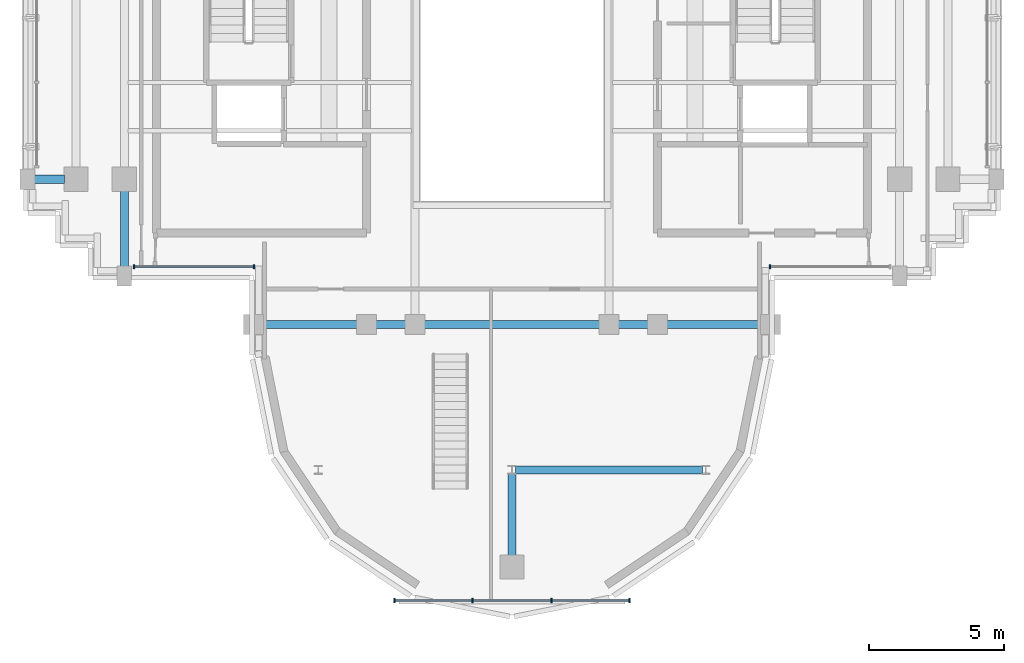
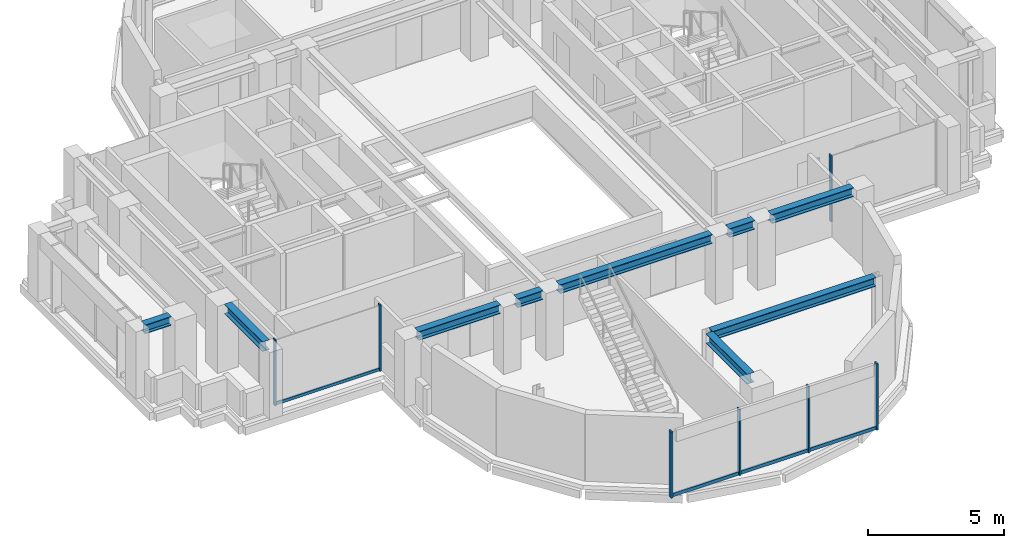
# One storey, part 3 of 12: 11 members, 9 beams, 3 elements without a shape of their own.
"""IFC4 building model written with IfcOpenShell, lengths in metres."""

from ifc_helpers import new_model, si_unit, direction, frame, origin, origin_2d, place, context, subcontext, project, spatial, rectangle, i_section, extrude, source, transform, mapped, material, material_profile, profile_set, type_object, element, aggregate, save


model = new_model("IFC4")

# Units and contexts
model_context = context("Model", 3, precision=1e-05, world=origin(), true_north=direction((0.0, 1.0)))
body_context = subcontext(model_context, "Body", "Model", "MODEL_VIEW")
ifc_project = project(units=[si_unit("LENGTHUNIT", "METRE"), si_unit("AREAUNIT", "SQUARE_METRE"), si_unit("VOLUMEUNIT", "CUBIC_METRE"), si_unit("PLANEANGLEUNIT", "RADIAN"), si_unit("MASSUNIT", "GRAM", prefix="KILO")], contexts=[model_context])

# Site, building, storey
site_placement = place(None, origin())
site = spatial("IfcSite", under=ifc_project, at=site_placement, CompositionType="ELEMENT")
building_placement = place(site_placement, origin())
building = spatial("IfcBuilding", under=site, at=building_placement, Name="Keilestroom Media Tower", CompositionType="ELEMENT")
storey_placement = place(building_placement, frame((0.0, 0.0, 239.60009765625)))
storey = spatial("IfcBuildingStorey", under=building, at=storey_placement, Name="L66", CompositionType="ELEMENT", Elevation=239.60009765625)

# Beams
ifc_material_1 = material(Name="Steel S355", Category="steel")
ifc_material_profile_1 = material_profile(ifc_material_1, i_section(OverallWidth=0.300048828125, OverallDepth=0.39990234375, WebThickness=0.011474609375, FlangeThickness=0.02392578125, at=origin_2d()), Name="HEB 400")
ifc_profile_set_1 = profile_set([ifc_material_profile_1], Name="Steel S355")
beam_type_1 = type_object("IfcBeamType", Name="Primary-Structural-Girder-HEB-400", PredefinedType="BEAM", material=ifc_profile_set_1)
shared_shape_1 = source(origin(), body_context, "Body", "SweptSolid", [
    extrude(i_section(OverallWidth=0.300048828125, OverallDepth=0.39990234375, WebThickness=0.011474609375, FlangeThickness=0.02392578125, at=origin_2d()), origin(), (0.0, 0.0, 1.0), 6.940185546875),
])
beam_1_placement = place(storey_placement, frame((0.1298828125, -14.39990234375, 2.809814453125), z_axis=(1.0, 0.0, 0.0), x_axis=(0.0, 1.0, 0.0)))
element("IfcBeam", 1, at=beam_1_placement, inside=storey, type_object=beam_type_1, Name="L66 Beam BG-8 BM-L66-EW-002", PredefinedType="BEAM", context=body_context, shape_type="MappedRepresentation", body=[
    mapped(shared_shape_1, transform((0.0, 0.0, 0.0), x_axis=(1.0, 0.0, 0.0), y_axis=(0.0, 1.0, 0.0), z_axis=(0.0, 0.0, 1.0), scale=1.0)),
])
shared_shape_2 = source(origin(), body_context, "Body", "SweptSolid", [
    extrude(i_section(OverallWidth=0.300048828125, OverallDepth=0.39990234375, WebThickness=0.011474609375, FlangeThickness=0.02392578125, at=origin_2d()), origin(), (0.0, 0.0, 1.0), 3.490234375),
])
for number, where, z_axis, x_axis, name in (
    (2, (-9.2451171875, -9.0, 2.809814453125), (1.0, 0.0, 0.0), (0.0, 1.0, 0.0), "L66 Beam BG-8 BM-L66-EW-003"),
    (3, (5.7548828125, -9.0, 2.809814453125), (1.0, 0.0, 0.0), (0.0, 1.0, 0.0), "L66 Beam BG-8 BM-L66-EW-007"),
):
    element("IfcBeam", number, at=place(storey_placement, frame(where, z_axis=z_axis, x_axis=x_axis)), inside=storey, type_object=beam_type_1, Name=name, PredefinedType="BEAM", context=body_context, shape_type="MappedRepresentation", body=[
        mapped(shared_shape_2, transform((0.0, 0.0, 0.0), x_axis=(1.0, 0.0, 0.0), y_axis=(0.0, 1.0, 0.0), z_axis=(0.0, 0.0, 1.0), scale=1.0)),
    ])
shared_shape_3 = source(origin(), body_context, "Body", "SweptSolid", [
    extrude(i_section(OverallWidth=0.300048828125, OverallDepth=0.39990234375, WebThickness=0.011474609375, FlangeThickness=0.02392578125, at=origin_2d()), origin(), (0.0, 0.0, 1.0), 1.08984375),
])
for number, where, z_axis, x_axis, name in (
    (4, (-5.044921875, -9.0, 2.809814453125), (1.0, 0.0, 0.0), (0.0, 1.0, 0.0), "L66 Beam BG-8 BM-L66-EW-004"),
    (5, (3.955078125, -9.0, 2.809814453125), (1.0, 0.0, 0.0), (0.0, 1.0, 0.0), "L66 Beam BG-8 BM-L66-EW-006"),
):
    element("IfcBeam", number, at=place(storey_placement, frame(where, z_axis=z_axis, x_axis=x_axis)), inside=storey, type_object=beam_type_1, Name=name, PredefinedType="BEAM", context=body_context, shape_type="MappedRepresentation", body=[
        mapped(shared_shape_3, transform((0.0, 0.0, 0.0), x_axis=(1.0, 0.0, 0.0), y_axis=(0.0, 1.0, 0.0), z_axis=(0.0, 0.0, 1.0), scale=1.0)),
    ])
shared_shape_4 = source(origin(), body_context, "Body", "SweptSolid", [
    extrude(i_section(OverallWidth=0.300048828125, OverallDepth=0.39990234375, WebThickness=0.011474609375, FlangeThickness=0.02392578125, at=origin_2d()), origin(), (0.0, 0.0, 1.0), 6.490234375),
])
beam_2_placement = place(storey_placement, frame((-3.2451171875, -9.0, 2.809814453125), z_axis=(1.0, 0.0, 0.0), x_axis=(0.0, 1.0, 0.0)))
element("IfcBeam", 6, at=beam_2_placement, inside=storey, type_object=beam_type_1, Name="L66 Beam BG-8 BM-L66-EW-005", PredefinedType="BEAM", context=body_context, shape_type="MappedRepresentation", body=[
    mapped(shared_shape_4, transform((0.0, 0.0, 0.0), x_axis=(1.0, 0.0, 0.0), y_axis=(0.0, 1.0, 0.0), z_axis=(0.0, 0.0, 1.0), scale=1.0)),
])
shared_shape_5 = source(origin(), body_context, "Body", "SweptSolid", [
    extrude(i_section(OverallWidth=0.300048828125, OverallDepth=0.39990234375, WebThickness=0.011474609375, FlangeThickness=0.02392578125, at=origin_2d()), origin(), (0.0, 0.0, 1.0), 1.115234375),
])
beam_3_placement = place(storey_placement, frame((-17.7451171875, -3.60009765625, 2.809814453125), z_axis=(1.0, 0.0, 0.0), x_axis=(0.0, 1.0, 0.0)))
element("IfcBeam", 7, at=beam_3_placement, inside=storey, type_object=beam_type_1, Name="L66 Beam BG-8 BM-L66-EW-008", PredefinedType="BEAM", context=body_context, shape_type="MappedRepresentation", body=[
    mapped(shared_shape_5, transform((0.0, 0.0, 0.0), x_axis=(1.0, 0.0, 0.0), y_axis=(0.0, 1.0, 0.0), z_axis=(0.0, 0.0, 1.0), scale=1.0)),
])
ifc_material_profile_2 = material_profile(ifc_material_1, i_section(OverallWidth=0.300048828125, OverallDepth=0.43994140625, WebThickness=0.011474609375, FlangeThickness=0.02099609375, at=origin_2d()), Name="HEA 450")
ifc_profile_set_2 = profile_set([ifc_material_profile_2], Name="Steel S355")
beam_type_2 = type_object("IfcBeamType", Name="Primary-Structural-Girder-HEA-450", PredefinedType="BEAM", material=ifc_profile_set_2)
shared_shape_6 = source(origin(), body_context, "Body", "SweptSolid", [
    extrude(i_section(OverallWidth=0.300048828125, OverallDepth=0.43994140625, WebThickness=0.011474609375, FlangeThickness=0.02099609375, at=origin_2d()), origin(), (0.0, 0.0, 1.0), 2.81494140625),
])
beam_4_placement = place(storey_placement, frame((-14.39990234375, -6.844970703125, 2.789794921875), z_axis=(0.0, 1.0, 0.0), x_axis=(-1.0, 0.0, 0.0)))
element("IfcBeam", 8, at=beam_4_placement, inside=storey, type_object=beam_type_2, Name="L66 Beam BG-11 BM-L66-NS-027", PredefinedType="BEAM", context=body_context, shape_type="MappedRepresentation", body=[
    mapped(shared_shape_6, transform((0.0, 0.0, 0.0), x_axis=(1.0, 0.0, 0.0), y_axis=(0.0, 1.0, 0.0), z_axis=(0.0, 0.0, 1.0), scale=1.0)),
])
shared_shape_7 = source(origin(), body_context, "Body", "SweptSolid", [
    extrude(i_section(OverallWidth=0.300048828125, OverallDepth=0.43994140625, WebThickness=0.011474609375, FlangeThickness=0.02099609375, at=origin_2d()), origin(), (0.0, 0.0, 1.0), 3.0400390625),
])
beam_5_placement = place(storey_placement, frame((0.0, -17.570068359375, 2.789794921875), z_axis=(0.0, 1.0, 0.0), x_axis=(-1.0, 0.0, 0.0)))
element("IfcBeam", 9, at=beam_5_placement, inside=storey, type_object=beam_type_2, Name="L66 Beam BG-11 BM-L66-NS-034", PredefinedType="BEAM", context=body_context, shape_type="MappedRepresentation", body=[
    mapped(shared_shape_7, transform((0.0, 0.0, 0.0), x_axis=(1.0, 0.0, 0.0), y_axis=(0.0, 1.0, 0.0), z_axis=(0.0, 0.0, 1.0), scale=1.0)),
])

# Curtain wall, members
ifc_material_2 = material(Name="Anodised Aluminium Alloy", Category="aluminium")
curtain_wall_type_1 = type_object("IfcCurtainWallType", Name="Unitised-Curtain-Wall-CW-6", PredefinedType="NOTDEFINED", material=ifc_material_2)
curtain_wall_1_placement = place(storey_placement, origin())
curtain_wall_1 = element("IfcCurtainWall", 10, at=curtain_wall_1_placement, inside=storey, type_object=curtain_wall_type_1, Name="L66 Curtain Wall CW-6 CW-L66-LS-1", PredefinedType="NOTDEFINED")
ifc_material_profile_3 = material_profile(ifc_material_2, rectangle(XDim=0.06494140625, YDim=0.179931640625, at=origin_2d()), Name="ALU MULLION 65x180")
ifc_profile_set_3 = profile_set([ifc_material_profile_3], Name="Anodised Aluminium Alloy")
member_type_1 = type_object("IfcMemberType", Name="Curtain-Wall-Mullion-CW-6", PredefinedType="MULLION", material=ifc_profile_set_3)
shared_shape_8 = source(origin(), body_context, "Body", "SweptSolid", [
    extrude(rectangle(XDim=0.06494140625, YDim=0.179931640625, at=origin_2d()), origin(), (0.0, 0.0, 1.0), 2.97998046875),
])
member_1_placement = place(storey_placement, frame((-4.367431640625, -19.25, 0.0), z_axis=(0.0, 0.0, 1.0), x_axis=(1.0, 0.0, 0.0)))
member_1 = element("IfcMember", 11, at=member_1_placement, type_object=member_type_1, Name="CW-6 Mullion 00", PredefinedType="MULLION", context=body_context, shape_type="MappedRepresentation", body=[
    mapped(shared_shape_8, transform((0.0, 0.0, 0.0), x_axis=(1.0, 0.0, 0.0), y_axis=(0.0, 1.0, 0.0), z_axis=(0.0, 0.0, 1.0), scale=1.0)),
])
member_2_placement = place(storey_placement, frame((-1.466796875, -19.25, 0.0), z_axis=(0.0, 0.0, 1.0), x_axis=(1.0, 0.0, 0.0)))
member_2 = element("IfcMember", 12, at=member_2_placement, type_object=member_type_1, Name="CW-6 Mullion 01", PredefinedType="MULLION", context=body_context, shape_type="MappedRepresentation", body=[
    mapped(shared_shape_8, transform((0.0, 0.0, 0.0), x_axis=(1.0, 0.0, 0.0), y_axis=(0.0, 1.0, 0.0), z_axis=(0.0, 0.0, 1.0), scale=1.0)),
])
member_3_placement = place(storey_placement, frame((1.466796875, -19.25, 0.0), z_axis=(0.0, 0.0, 1.0), x_axis=(1.0, 0.0, 0.0)))
member_3 = element("IfcMember", 13, at=member_3_placement, type_object=member_type_1, Name="CW-6 Mullion 02", PredefinedType="MULLION", context=body_context, shape_type="MappedRepresentation", body=[
    mapped(shared_shape_8, transform((0.0, 0.0, 0.0), x_axis=(1.0, 0.0, 0.0), y_axis=(0.0, 1.0, 0.0), z_axis=(0.0, 0.0, 1.0), scale=1.0)),
])
member_4_placement = place(storey_placement, frame((4.367431640625, -19.25, 0.0), z_axis=(0.0, 0.0, 1.0), x_axis=(1.0, 0.0, 0.0)))
member_4 = element("IfcMember", 14, at=member_4_placement, type_object=member_type_1, Name="CW-6 Mullion 03", PredefinedType="MULLION", context=body_context, shape_type="MappedRepresentation", body=[
    mapped(shared_shape_8, transform((0.0, 0.0, 0.0), x_axis=(1.0, 0.0, 0.0), y_axis=(0.0, 1.0, 0.0), z_axis=(0.0, 0.0, 1.0), scale=1.0)),
])
ifc_material_profile_4 = material_profile(ifc_material_2, rectangle(XDim=0.06494140625, YDim=0.14990234375, at=origin_2d()), Name="ALU TRANSOM 65x150")
ifc_profile_set_4 = profile_set([ifc_material_profile_4], Name="Anodised Aluminium Alloy")
member_type_2 = type_object("IfcMemberType", Name="Curtain-Wall-Transom-CW-6", PredefinedType="USERDEFINED", material=ifc_profile_set_4)
shared_shape_9 = source(origin(), body_context, "Body", "SweptSolid", [
    extrude(rectangle(XDim=0.06494140625, YDim=0.14990234375, at=origin_2d()), origin(), (0.0, 0.0, 1.0), 2.839599609375),
])
member_5_placement = place(storey_placement, frame((-4.3369140625, -19.25, 0.074951171875), z_axis=(1.0, 0.0, 0.0), x_axis=(0.0, 1.0, 0.0)))
member_5 = element("IfcMember", 15, at=member_5_placement, type_object=member_type_2, Name="CW-6 Transom 00.1", ObjectType="TRANSOM", PredefinedType="USERDEFINED", context=body_context, shape_type="MappedRepresentation", body=[
    mapped(shared_shape_9, transform((0.0, 0.0, 0.0), x_axis=(1.0, 0.0, 0.0), y_axis=(0.0, 1.0, 0.0), z_axis=(0.0, 0.0, 1.0), scale=1.0)),
])
member_6_placement = place(storey_placement, frame((1.497314453125, -19.25, 0.074951171875), z_axis=(1.0, 0.0, 0.0), x_axis=(0.0, 1.0, 0.0)))
member_6 = element("IfcMember", 16, at=member_6_placement, type_object=member_type_2, Name="CW-6 Transom 02.1", ObjectType="TRANSOM", PredefinedType="USERDEFINED", context=body_context, shape_type="MappedRepresentation", body=[
    mapped(shared_shape_9, transform((0.0, 0.0, 0.0), x_axis=(1.0, 0.0, 0.0), y_axis=(0.0, 1.0, 0.0), z_axis=(0.0, 0.0, 1.0), scale=1.0)),
])
shared_shape_10 = source(origin(), body_context, "Body", "SweptSolid", [
    extrude(rectangle(XDim=0.06494140625, YDim=0.14990234375, at=origin_2d()), origin(), (0.0, 0.0, 1.0), 2.87255859375),
])
member_7_placement = place(storey_placement, frame((-1.436279296875, -19.25, 0.074951171875), z_axis=(1.0, 0.0, 0.0), x_axis=(0.0, 1.0, 0.0)))
member_7 = element("IfcMember", 17, at=member_7_placement, type_object=member_type_2, Name="CW-6 Transom 01.1", ObjectType="TRANSOM", PredefinedType="USERDEFINED", context=body_context, shape_type="MappedRepresentation", body=[
    mapped(shared_shape_10, transform((0.0, 0.0, 0.0), x_axis=(1.0, 0.0, 0.0), y_axis=(0.0, 1.0, 0.0), z_axis=(0.0, 0.0, 1.0), scale=1.0)),
])
aggregate(curtain_wall_1, [member_1, member_2, member_3, member_4, member_5, member_7, member_6])

curtain_wall_type_2 = type_object("IfcCurtainWallType", Name="Unitised-Curtain-Wall-CW-4", PredefinedType="NOTDEFINED", material=ifc_material_2)
curtain_wall_2_placement = place(storey_placement, origin())
curtain_wall_2 = element("IfcCurtainWall", 18, at=curtain_wall_2_placement, inside=storey, type_object=curtain_wall_type_2, Name="L66 Curtain Wall CW-4 CW-L66-SW-1", PredefinedType="NOTDEFINED")
ifc_material_profile_5 = material_profile(ifc_material_2, rectangle(XDim=0.06005859375, YDim=0.159912109375, at=origin_2d()), Name="ALU MULLION 60x160")
ifc_profile_set_5 = profile_set([ifc_material_profile_5], Name="Anodised Aluminium Alloy")
member_type_3 = type_object("IfcMemberType", Name="Curtain-Wall-Mullion-CW-4", PredefinedType="MULLION", material=ifc_profile_set_5)
shared_shape_11 = source(origin(), body_context, "Body", "SweptSolid", [
    extrude(rectangle(XDim=0.06005859375, YDim=0.159912109375, at=origin_2d()), origin(), (0.0, 0.0, 1.0), 2.97998046875),
])
member_8_placement = place(storey_placement, frame((-14.034912109375, -6.85009765625, 0.0), z_axis=(0.0, 0.0, 1.0), x_axis=(1.0, 0.0, 0.0)))
member_8 = element("IfcMember", 19, at=member_8_placement, type_object=member_type_3, Name="CW-4 Mullion 00", PredefinedType="MULLION", context=body_context, shape_type="MappedRepresentation", body=[
    mapped(shared_shape_11, transform((0.0, 0.0, 0.0), x_axis=(1.0, 0.0, 0.0), y_axis=(0.0, 1.0, 0.0), z_axis=(0.0, 0.0, 1.0), scale=1.0)),
])
member_9_placement = place(storey_placement, frame((-9.580078125, -6.85009765625, 0.0), z_axis=(0.0, 0.0, 1.0), x_axis=(1.0, 0.0, 0.0)))
member_9 = element("IfcMember", 20, at=member_9_placement, type_object=member_type_3, Name="CW-4 Mullion 01", PredefinedType="MULLION", context=body_context, shape_type="MappedRepresentation", body=[
    mapped(shared_shape_11, transform((0.0, 0.0, 0.0), x_axis=(1.0, 0.0, 0.0), y_axis=(0.0, 1.0, 0.0), z_axis=(0.0, 0.0, 1.0), scale=1.0)),
])

# Curtain wall, member
curtain_wall_3_placement = place(storey_placement, origin())
curtain_wall_3 = element("IfcCurtainWall", 21, at=curtain_wall_3_placement, inside=storey, type_object=curtain_wall_type_2, Name="L66 Curtain Wall CW-4 CW-L66-SE-1", PredefinedType="NOTDEFINED")
member_10_placement = place(storey_placement, frame((9.580078125, -6.85009765625, 0.0), z_axis=(0.0, 0.0, 1.0), x_axis=(1.0, 0.0, 0.0)))
member_10 = element("IfcMember", 22, at=member_10_placement, type_object=member_type_3, Name="CW-4 Mullion 00", PredefinedType="MULLION", context=body_context, shape_type="MappedRepresentation", body=[
    mapped(shared_shape_11, transform((0.0, 0.0, 0.0), x_axis=(1.0, 0.0, 0.0), y_axis=(0.0, 1.0, 0.0), z_axis=(0.0, 0.0, 1.0), scale=1.0)),
])
aggregate(curtain_wall_3, [member_10])

# Member
ifc_material_profile_6 = material_profile(ifc_material_2, rectangle(XDim=0.06005859375, YDim=0.1298828125, at=origin_2d()), Name="ALU TRANSOM 60x130")
ifc_profile_set_6 = profile_set([ifc_material_profile_6], Name="Anodised Aluminium Alloy")
member_type_4 = type_object("IfcMemberType", Name="Curtain-Wall-Transom-CW-4", PredefinedType="USERDEFINED", material=ifc_profile_set_6)
shared_shape_12 = source(origin(), body_context, "Body", "SweptSolid", [
    extrude(rectangle(XDim=0.06005859375, YDim=0.1298828125, at=origin_2d()), origin(), (0.0, 0.0, 1.0), 4.399169921875),
])
member_11_placement = place(storey_placement, frame((-14.007080078125, -6.85009765625, 0.06494140625), z_axis=(1.0, 0.0, 0.0), x_axis=(0.0, 1.0, 0.0)))
member_11 = element("IfcMember", 23, at=member_11_placement, type_object=member_type_4, Name="CW-4 Transom 00.1", ObjectType="TRANSOM", PredefinedType="USERDEFINED", context=body_context, shape_type="MappedRepresentation", body=[
    mapped(shared_shape_12, transform((0.0, 0.0, 0.0), x_axis=(1.0, 0.0, 0.0), y_axis=(0.0, 1.0, 0.0), z_axis=(0.0, 0.0, 1.0), scale=1.0)),
])

aggregate(curtain_wall_2, [member_8, member_9, member_11])

save(model, "model.ifc")
